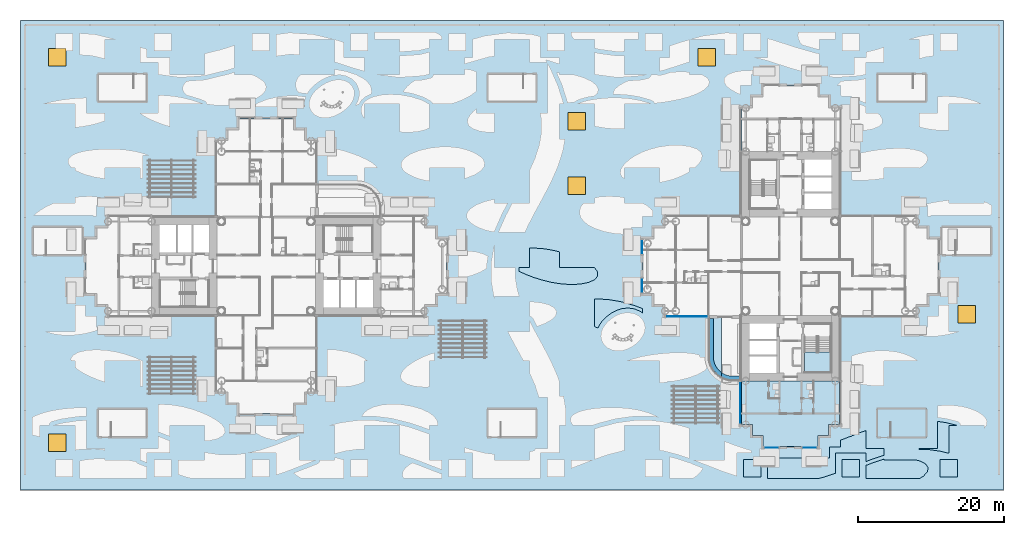
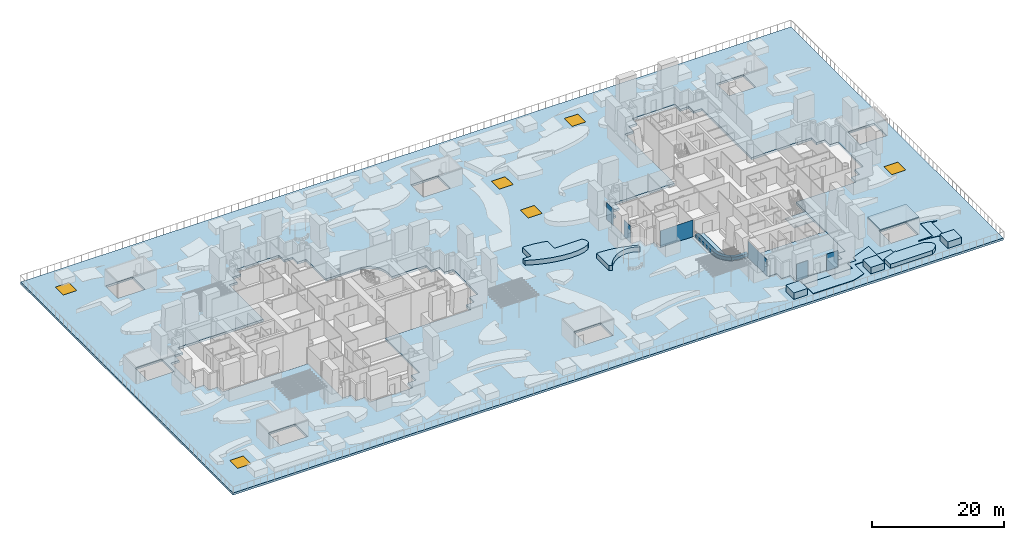
# One storey, part 20 of 40: 15 slabs, 6 plates, 6 windows, 6 openings, 7 elements without a shape of their own.
"""IFC4 building model written with IfcOpenShell, lengths in metres."""

from ifc_helpers import new_model, si_unit, direction, frame, origin, origin_2d, place, context, subcontext, project, spatial, polyline, rectangle, outline, extrude, material, layer, layer_set, type_object, element, fill, aggregate, save


model = new_model("IFC4")

# Units and contexts
model_context = context("Model", 3, precision=1e-05, world=origin(), true_north=direction((0.0, 1.0)))
body_context = subcontext(model_context, "Body", "Model", "MODEL_VIEW")
ifc_project = project(units=[si_unit("LENGTHUNIT", "METRE"), si_unit("AREAUNIT", "SQUARE_METRE"), si_unit("VOLUMEUNIT", "CUBIC_METRE"), si_unit("PLANEANGLEUNIT", "RADIAN"), si_unit("MASSUNIT", "GRAM", prefix="KILO")], contexts=[model_context])

# Site, building, storey
site_placement = place(None, origin())
site = spatial("IfcSite", under=ifc_project, at=site_placement, CompositionType="ELEMENT")
building_placement = place(site_placement, origin())
building = spatial("IfcBuilding", under=site, at=building_placement, Name="Ipe Terrace Towers", CompositionType="ELEMENT")
storey_placement = place(building_placement, frame((0.0, 0.0, 24.5)))
storey = spatial("IfcBuildingStorey", under=building, at=storey_placement, Name="L05", CompositionType="ELEMENT", Elevation=24.5)

# Slabs
ifc_material_1 = material(Name="Concrete C30/37", Category="concrete")
ifc_layer_1 = layer(ifc_material_1, 0.199951171875)
ifc_layer_set_1 = layer_set([ifc_layer_1], Name="BALCONY SLAB 200")
slab_type_1 = type_object("IfcSlabType", Name="BALCONY SLAB 200", PredefinedType="FLOOR", material=ifc_layer_set_1)
slab_1_placement = place(storey_placement, frame((0.0, 0.0, -0.219970703125)))
element("IfcSlab", 1, at=slab_1_placement, inside=storey, type_object=slab_type_1, Name="balcony slab", PredefinedType="FLOOR", context=body_context, shape_type="SweptSolid", body=[
    extrude(outline(polyline([(24.75, -6.75), (24.75, -12.449951171875), (24.778076171875, -12.881103515625), (24.862060546875, -13.303955078125), (25.0009765625, -13.712890625), (25.19189453125, -14.10009765625), (25.431884765625, -14.458984375), (25.717041015625, -14.782958984375), (26.041015625, -15.068115234375), (26.39990234375, -15.30810546875), (26.550048828125, -15.382080078125), (26.550048828125, -6.75), (24.75, -6.75)])), origin(), (0.0, 0.0, 1.0), 0.199951171875),
])
ifc_material_2 = material(Name="Concrete C30/37", Category="concrete")
ifc_layer_2 = layer(ifc_material_2, 0.75)
ifc_layer_set_2 = layer_set([ifc_layer_2], Name="CURVED GARDEN BED 750")
slab_type_2 = type_object("IfcSlabType", Name="CURVED GARDEN BED 750", PredefinedType="USERDEFINED", material=ifc_layer_set_2)
slab_2_placement = place(storey_placement, frame((0.0, 0.0, -0.02001953125)))
element("IfcSlab", 2, at=slab_2_placement, inside=storey, type_object=slab_type_2, Name="curved garden bed", ObjectType="PLANTER", PredefinedType="USERDEFINED", context=body_context, shape_type="SweptSolid", body=[
    extrude(outline(polyline([(54.912109375, -27.681884765625), (54.791015625, -28.27197265625), (54.218017578125, -28.861083984375), (53.7099609375, -29.14990234375), (46.35009765625, -29.14990234375), (46.35009765625, -27.330078125), (46.388916015625, -27.327880859375), (46.43798828125, -27.322021484375), (46.485107421875, -27.31103515625), (46.531005859375, -27.2958984375), (47.2880859375, -27.001953125), (48.8701171875, -26.465087890625), (48.8701171875, -26.635986328125), (53.35791015625, -26.635986328125), (53.81005859375, -26.7509765625), (54.56396484375, -27.157958984375), (54.912109375, -27.681884765625)])), origin(), (0.0, 0.0, 1.0), 0.75),
])
ifc_material_3 = material(Name="Concrete C30/37", Category="concrete")
ifc_layer_3 = layer(ifc_material_3, 0.89990234375)
ifc_layer_set_3 = layer_set([ifc_layer_3], Name="CURVED GARDEN BED 900")
slab_type_3 = type_object("IfcSlabType", Name="CURVED GARDEN BED 900", PredefinedType="USERDEFINED", material=ifc_layer_set_3)
slab_3_placement = place(storey_placement, frame((0.0, 0.0, -0.02001953125)))
element("IfcSlab", 3, at=slab_3_placement, inside=storey, type_object=slab_type_3, Name="curved garden bed", ObjectType="PLANTER", PredefinedType="USERDEFINED", context=body_context, shape_type="SweptSolid", body=[
    extrude(outline(polyline([(15.64990234375, -6.4208984375), (15.48193359375, -6.27587890625), (15.43505859375, -6.239013671875), (15.384033203125, -6.20703125), (15.330078125, -6.179931640625), (14.6650390625, -5.887939453125), (14.614013671875, -5.868896484375), (14.56298828125, -5.85400390625), (14.510009765625, -5.843994140625), (13.7880859375, -5.739013671875), (13.717041015625, -5.73291015625), (13.64599609375, -5.736083984375), (12.943115234375, -5.802978515625), (12.882080078125, -5.81201171875), (12.822021484375, -5.826904296875), (12.18896484375, -6.02392578125), (12.139892578125, -6.0419921875), (12.093994140625, -6.06298828125), (11.547119140625, -6.343017578125), (11.47802734375, -6.384033203125), (11.006103515625, -6.7119140625), (10.955078125, -6.751953125), (10.535888671875, -7.114990234375), (10.488037109375, -7.160888671875), (10.110107421875, -7.570068359375), (10.0810546875, -7.60400390625), (10.054931640625, -7.639892578125), (9.73193359375, -8.113037109375), (9.699951171875, -8.166015625), (9.673095703125, -8.221923828125), (9.570068359375, -8.470947265625), (9.070068359375, -8.281982421875), (9.070068359375, -4.52197265625), (9.791015625, -4.49609375), (11.195068359375, -4.60498046875), (12.51611328125, -4.830078125), (13.700927734375, -5.126953125), (14.14990234375, -5.27001953125), (14.14990234375, -5.35009765625), (14.402099609375, -5.35009765625), (14.757080078125, -5.462890625), (15.64990234375, -5.801025390625), (15.64990234375, -6.4208984375)])), origin(), (0.0, 0.0, 1.0), 0.89990234375),
])
slab_4_placement = place(storey_placement, frame((0.0, 0.0, -0.02001953125)))
element("IfcSlab", 4, at=slab_4_placement, inside=storey, type_object=slab_type_3, Name="curved garden bed", ObjectType="PLANTER", PredefinedType="USERDEFINED", context=body_context, shape_type="SweptSolid", body=[
    extrude(outline(polyline([(9.52197265625, -1.3330078125), (9.10400390625, -1.841064453125), (8.258056640625, -2.22998046875), (7.077880859375, -2.455078125), (5.708984375, -2.50390625), (4.304931640625, -2.39501953125), (2.98388671875, -2.169921875), (1.799072265625, -1.873046875), (0.742919921875, -1.537109375), (-0.219970703125, -1.173095703125), (-1.118896484375, -0.77001953125), (-1.257080078125, -0.693115234375), (-1.257080078125, -0.14990234375), (0.14990234375, -0.14990234375), (0.14990234375, 2.48095703125), (0.791015625, 2.50390625), (2.195068359375, 2.39501953125), (3.51611328125, 2.169921875), (4.27001953125, 1.98095703125), (4.27001953125, -0.14990234375), (9.031982421875, -0.14990234375), (9.10107421875, -0.2041015625), (9.5, -0.76708984375), (9.52197265625, -1.3330078125)])), origin(), (0.0, 0.0, 1.0), 0.89990234375),
])

# Stair, slab
ifc_material_4 = material(Name="Concrete C30/37", Category="concrete")
stair_type = type_object("IfcStairType", Name="Protected exit stair", PredefinedType="HALF_TURN_STAIR", material=ifc_material_4)
stair_placement = place(storey_placement, origin())
stair = element("IfcStair", 5, at=stair_placement, inside=storey, type_object=stair_type, Name="L05 Exit stair T2-C2", PredefinedType="HALF_TURN_STAIR")
ifc_material_5 = material(Name="Concrete C30/37", Category="concrete")
ifc_layer_4 = layer(ifc_material_5, 0.199951171875)
ifc_layer_set_4 = layer_set([ifc_layer_4], Name="Exit stair landing 200")
slab_type_4 = type_object("IfcSlabType", Name="Exit stair landing 200", PredefinedType="LANDING", material=ifc_layer_set_4)
slab_5_placement = place(storey_placement, frame((0.0, 0.0, 1.5)))
slab_5 = element("IfcSlab", 6, at=slab_5_placement, type_object=slab_type_4, Name="T2-ST2 landing 1", PredefinedType="LANDING", context=body_context, shape_type="SweptSolid", body=[
    extrude(outline(polyline([(37.89990234375, -11.780029296875), (37.89990234375, -14.550048828125), (41.550048828125, -14.550048828125), (41.550048828125, -11.780029296875), (37.89990234375, -11.780029296875)])), origin(), (0.0, 0.0, 1.0), 0.199951171875),
])
aggregate(stair, [slab_5])

# Slabs
ifc_material_6 = material(Name="Concrete C40/50", Category="concrete")
ifc_layer_5 = layer(ifc_material_6, 0.39990234375)
ifc_layer_set_5 = layer_set([ifc_layer_5], Name="FLAT PLATE SLAB 400 C40-50")
slab_type_5 = type_object("IfcSlabType", Name="FLAT PLATE SLAB 400 C40-50", PredefinedType="FLOOR", material=ifc_layer_set_5)
slab_6_placement = place(storey_placement, frame((0.0, 0.0, -0.39990234375)))
element("IfcSlab", 7, at=slab_6_placement, inside=storey, type_object=slab_type_5, Name="Slab T2-FS-Z12", PredefinedType="FLOOR", context=body_context, shape_type="SweptSolid", body=[
    extrude(outline(polyline([(42.75, -21.75), (41.25, -21.75), (41.25, -23.25), (39.75, -23.25), (39.75, -24.75), (32.25, -24.75), (32.25, -23.25), (30.75, -23.25), (30.75, -21.75), (29.25, -21.75), (29.25, -15.75), (42.75, -15.75), (42.75, -21.75)])), origin(), (0.0, 0.0, 1.0), 0.39990234375),
])
ifc_material_7 = material(Name="Concrete C30/37 paving", Category="concrete")
ifc_layer_6 = layer(ifc_material_7, 0.080078125)
ifc_layer_set_6 = layer_set([ifc_layer_6], Name="GARDEN PAVING 80")
slab_type_6 = type_object("IfcSlabType", Name="GARDEN PAVING 80", PredefinedType="USERDEFINED", material=ifc_layer_set_6)
slab_7_placement = place(storey_placement, frame((0.0, 0.0, -0.02001953125)))
element("IfcSlab", 8, at=slab_7_placement, inside=storey, type_object=slab_type_6, Name="garden paving path", ObjectType="PAVING", PredefinedType="USERDEFINED", context=body_context, shape_type="SweptSolid", body=[
    extrude(outline(polyline([(43.591064453125, -23.610107421875), (43.593017578125, -23.60888671875), (44.260986328125, -23.35009765625), (44.35009765625, -23.35009765625), (44.35009765625, -23.31494140625), (45.7099609375, -22.7880859375), (45.7900390625, -22.758056640625), (46.3701171875, -22.56201171875), (46.3701171875, -25.0), (48.8701171875, -25.0), (48.8701171875, -25.93701171875), (47.116943359375, -26.531982421875), (46.35009765625, -26.830078125), (46.35009765625, -25.64990234375), (42.14990234375, -25.64990234375), (42.14990234375, -28.429931640625), (40.73388671875, -28.9169921875), (40.580078125, -28.962890625), (39.85107421875, -29.14990234375), (32.85009765625, -29.14990234375), (32.85009765625, -26.35009765625), (41.35009765625, -26.35009765625), (41.35009765625, -24.85009765625), (42.85009765625, -24.85009765625), (42.85009765625, -23.89794921875), (43.591064453125, -23.610107421875)])), origin(), (0.0, 0.0, 1.0), 0.080078125),
])
slab_8_placement = place(storey_placement, frame((0.0, 0.0, -0.02001953125)))
element("IfcSlab", 9, at=slab_8_placement, inside=storey, type_object=slab_type_6, Name="garden paving path", ObjectType="PAVING", PredefinedType="USERDEFINED", context=body_context, shape_type="SweptSolid", body=[
    extrude(outline(polyline([(57.2958984375, -21.4609375), (57.51806640625, -21.5048828125), (58.79296875, -21.8359375), (57.7900390625, -21.8359375), (57.7900390625, -25.64990234375), (57.56689453125, -25.64990234375), (56.625, -25.406005859375), (54.75390625, -25.14208984375), (53.669921875, -25.135986328125), (53.669921875, -25.0), (56.169921875, -25.0), (56.169921875, -21.302978515625), (57.2958984375, -21.4609375)])), origin(), (0.0, 0.0, 1.0), 0.080078125),
])
ifc_material_8 = material(Name="Concrete C30/37", Category="concrete")
ifc_layer_7 = layer(ifc_material_8, 0.60009765625)
ifc_layer_set_7 = layer_set([ifc_layer_7], Name="PLANTER TROUGH 550 x 600")
slab_type_7 = type_object("IfcSlabType", Name="PLANTER TROUGH 550 x 600", PredefinedType="USERDEFINED", material=ifc_layer_set_7)
slab_9_placement = place(storey_placement, frame((0.0, 0.0, -0.02001953125)))
element("IfcSlab", 10, at=slab_9_placement, inside=storey, type_object=slab_type_7, Name="planter", ObjectType="PLANTER", PredefinedType="USERDEFINED", context=body_context, shape_type="SweptSolid", body=[
    extrude(outline(polyline([(27.366943359375, -14.9990234375), (27.0400390625, -14.887939453125), (26.73095703125, -14.735107421875), (26.550048828125, -14.614013671875), (26.550048828125, -15.259033203125), (26.81298828125, -15.388916015625), (26.845947265625, -15.403076171875), (27.20703125, -15.52490234375), (27.241943359375, -15.534912109375), (27.615966796875, -15.60888671875), (27.652099609375, -15.614013671875), (28.044921875, -15.638916015625), (28.06298828125, -15.639892578125), (29.25, -15.639892578125), (29.25, -15.090087890625), (28.072021484375, -15.090087890625), (27.7060546875, -15.06591796875), (27.366943359375, -14.9990234375)])), origin(), (0.0, 0.0, 1.0), 0.60009765625),
])
slab_10_placement = place(storey_placement, frame((0.0, 0.0, -0.02001953125)))
element("IfcSlab", 11, at=slab_10_placement, inside=storey, type_object=slab_type_7, Name="planter", ObjectType="PLANTER", PredefinedType="USERDEFINED", context=body_context, shape_type="SweptSolid", body=[
    extrude(outline(polyline([(26.444091796875, -14.54296875), (26.18408203125, -14.31591796875), (25.95703125, -14.055908203125), (25.764892578125, -13.76904296875), (25.612060546875, -13.4599609375), (25.5009765625, -13.133056640625), (25.43408203125, -12.7939453125), (25.409912109375, -12.427978515625), (25.409912109375, -7.199951171875), (24.860107421875, -7.199951171875), (24.860107421875, -12.43701171875), (24.861083984375, -12.455078125), (24.885986328125, -12.847900390625), (24.89111328125, -12.884033203125), (24.965087890625, -13.258056640625), (24.97509765625, -13.29296875), (25.096923828125, -13.654052734375), (25.111083984375, -13.68701171875), (25.280029296875, -14.029052734375), (25.298095703125, -14.06005859375), (25.509033203125, -14.376953125), (25.531005859375, -14.405029296875), (25.782958984375, -14.69189453125), (25.80810546875, -14.717041015625), (26.094970703125, -14.968994140625), (26.123046875, -14.990966796875), (26.43994140625, -15.201904296875), (26.470947265625, -15.219970703125), (26.550048828125, -15.259033203125), (26.550048828125, -14.614013671875), (26.444091796875, -14.54296875)])), origin(), (0.0, 0.0, 1.0), 0.60009765625),
])

# Slab, openings, windows
ifc_material_9 = material(Name="Concrete C40/50", Category="concrete")
ifc_layer_8 = layer(ifc_material_9, 0.405029296875)
ifc_layer_set_8 = layer_set([ifc_layer_8], Name="PODIUM ROOF SLAB 405 C40-50")
slab_type_8 = type_object("IfcSlabType", Name="PODIUM ROOF SLAB 405 C40-50", PredefinedType="ROOF", material=ifc_layer_set_8)
slab_11_placement = place(storey_placement, frame((0.0, 0.0, -0.425048828125)))
slab_11 = element("IfcSlab", 12, at=slab_11_placement, inside=storey, type_object=slab_type_8, Name="Slab PD-RS-GARDEN", PredefinedType="ROOF", context=body_context, shape_type="SweptSolid", body=[
    extrude(outline(polyline([(65.25, -30.75), (-69.75, -30.75), (-69.75, 33.75), (65.25, 33.75), (65.25, -30.75)]), holes=[polyline([(30.7451171875, -23.2548828125), (32.2451171875, -23.2548828125), (32.2451171875, -24.7548828125), (39.7548828125, -24.7548828125), (39.7548828125, -23.2548828125), (41.2548828125, -23.2548828125), (41.2548828125, -21.7548828125), (42.7548828125, -21.7548828125), (42.7548828125, -6.7548828125), (53.2548828125, -6.7548828125), (53.2548828125, -5.2548828125), (54.7548828125, -5.2548828125), (54.7548828125, -3.7548828125), (56.2548828125, -3.7548828125), (56.2548828125, 3.7548828125), (54.7548828125, 3.7548828125), (54.7548828125, 5.2548828125), (53.2548828125, 5.2548828125), (53.2548828125, 6.7548828125), (42.7548828125, 6.7548828125), (42.7548828125, 21.7548828125), (41.2548828125, 21.7548828125), (41.2548828125, 23.2548828125), (39.7548828125, 23.2548828125), (39.7548828125, 24.7548828125), (32.2451171875, 24.7548828125), (32.2451171875, 23.2548828125), (30.7451171875, 23.2548828125), (30.7451171875, 21.7548828125), (29.2451171875, 21.7548828125), (29.2451171875, 6.7548828125), (18.7451171875, 6.7548828125), (18.7451171875, 5.2548828125), (17.2451171875, 5.2548828125), (17.2451171875, 3.7548828125), (15.7451171875, 3.7548828125), (15.7451171875, -3.7548828125), (17.2451171875, -3.7548828125), (17.2451171875, -5.2548828125), (18.7451171875, -5.2548828125), (18.7451171875, -6.7548828125), (24.7451171875, -6.7548828125), (24.7451171875, -11.2548828125), (24.75, -11.2548828125), (24.75, -12.449951171875), (24.778076171875, -12.881103515625), (24.862060546875, -13.303955078125), (25.0009765625, -13.712890625), (25.19189453125, -14.10009765625), (25.431884765625, -14.458984375), (25.717041015625, -14.782958984375), (26.041015625, -15.068115234375), (26.39990234375, -15.30810546875), (26.550048828125, -15.382080078125), (26.787109375, -15.4990234375), (27.196044921875, -15.637939453125), (27.618896484375, -15.721923828125), (28.050048828125, -15.75), (29.2451171875, -15.75), (29.2451171875, -21.7548828125), (30.7451171875, -21.7548828125), (30.7451171875, -23.2548828125)]), polyline([(-59.2548828125, -5.2548828125), (-57.7548828125, -5.2548828125), (-57.7548828125, -6.7548828125), (-42.7548828125, -6.7548828125), (-42.7548828125, -17.2548828125), (-41.2548828125, -17.2548828125), (-41.2548828125, -18.7548828125), (-39.7548828125, -18.7548828125), (-39.7548828125, -20.2548828125), (-32.2451171875, -20.2548828125), (-32.2451171875, -18.7548828125), (-30.7451171875, -18.7548828125), (-30.7451171875, -17.2548828125), (-29.2451171875, -17.2548828125), (-29.2451171875, -6.7548828125), (-14.2451171875, -6.7548828125), (-14.2451171875, -5.2548828125), (-12.7451171875, -5.2548828125), (-12.7451171875, -3.7548828125), (-11.2451171875, -3.7548828125), (-11.2451171875, 3.7548828125), (-12.7451171875, 3.7548828125), (-12.7451171875, 5.2548828125), (-14.2451171875, 5.2548828125), (-14.2451171875, 6.7548828125), (-20.25, 6.7548828125), (-20.25, 7.949951171875), (-20.278076171875, 8.381103515625), (-20.362060546875, 8.803955078125), (-20.5009765625, 9.212890625), (-20.617919921875, 9.449951171875), (-20.69189453125, 9.60009765625), (-20.931884765625, 9.958984375), (-21.217041015625, 10.282958984375), (-21.541015625, 10.568115234375), (-21.89990234375, 10.80810546875), (-22.287109375, 10.9990234375), (-22.696044921875, 11.137939453125), (-23.118896484375, 11.221923828125), (-23.550048828125, 11.25), (-24.7451171875, 11.25), (-24.7451171875, 11.2548828125), (-29.2451171875, 11.2548828125), (-29.2451171875, 17.2548828125), (-30.7451171875, 17.2548828125), (-30.7451171875, 18.7548828125), (-32.2451171875, 18.7548828125), (-32.2451171875, 20.2548828125), (-39.7548828125, 20.2548828125), (-39.7548828125, 18.7548828125), (-41.2548828125, 18.7548828125), (-41.2548828125, 17.2548828125), (-42.7548828125, 17.2548828125), (-42.7548828125, 6.7548828125), (-57.7548828125, 6.7548828125), (-57.7548828125, 5.2548828125), (-59.2548828125, 5.2548828125), (-59.2548828125, 3.7548828125), (-60.7548828125, 3.7548828125), (-60.7548828125, -3.7548828125), (-59.2548828125, -3.7548828125), (-59.2548828125, -5.2548828125)]), polyline([(-63.489990234375, -23.035888671875), (-65.889892578125, -23.035888671875), (-65.889892578125, -25.43603515625), (-63.489990234375, -25.43603515625), (-63.489990234375, -23.035888671875)]), polyline([(61.389892578125, -7.779052734375), (61.389892578125, -5.3779296875), (58.989990234375, -5.3779296875), (58.989990234375, -7.779052734375), (61.389892578125, -7.779052734375)]), polyline([(7.8701171875, 9.87890625), (7.8701171875, 12.278076171875), (5.469970703125, 12.278076171875), (5.469970703125, 9.87890625), (7.8701171875, 9.87890625)]), polyline([(7.8701171875, 21.10693359375), (5.469970703125, 21.10693359375), (5.469970703125, 18.70703125), (7.8701171875, 18.70703125), (7.8701171875, 21.10693359375)]), polyline([(-63.489990234375, 27.535888671875), (-63.489990234375, 29.93603515625), (-65.889892578125, 29.93603515625), (-65.889892578125, 27.535888671875), (-63.489990234375, 27.535888671875)]), polyline([(25.7099609375, 27.535888671875), (25.7099609375, 29.93603515625), (23.31005859375, 29.93603515625), (23.31005859375, 27.535888671875), (25.7099609375, 27.535888671875)]), polyline([(-57.169921875, -19.64990234375), (-57.169921875, -23.39990234375), (-52.469970703125, -23.39990234375), (-52.469970703125, -19.64990234375), (-57.169921875, -19.64990234375)]), polyline([(-3.64990234375, -19.64990234375), (-3.64990234375, -23.39990234375), (1.050048828125, -23.39990234375), (1.050048828125, -19.64990234375), (-3.64990234375, -19.64990234375)]), polyline([(49.8701171875, -19.64990234375), (49.8701171875, -23.39990234375), (54.570068359375, -23.39990234375), (54.570068359375, -19.64990234375), (49.8701171875, -19.64990234375)]), polyline([(-66.090087890625, 5.35009765625), (-66.090087890625, 1.60009765625), (-61.389892578125, 1.60009765625), (-61.389892578125, 5.35009765625), (-66.090087890625, 5.35009765625)]), polyline([(58.7900390625, 5.35009765625), (58.7900390625, 1.60009765625), (63.489990234375, 1.60009765625), (63.489990234375, 5.35009765625), (58.7900390625, 5.35009765625)]), polyline([(-54.3701171875, 22.64990234375), (-54.3701171875, 26.39990234375), (-59.070068359375, 26.39990234375), (-59.070068359375, 22.64990234375), (-54.3701171875, 22.64990234375)]), polyline([(-0.85009765625, 22.64990234375), (-0.85009765625, 26.39990234375), (-5.550048828125, 26.39990234375), (-5.550048828125, 22.64990234375), (-0.85009765625, 22.64990234375)]), polyline([(52.669921875, 22.64990234375), (52.669921875, 26.39990234375), (47.969970703125, 26.39990234375), (47.969970703125, 22.64990234375), (52.669921875, 22.64990234375)])]), origin(), (0.0, 0.0, 1.0), 0.405029296875),
])
opening_1_placement = place(slab_11_placement, frame((-64.68994140625, -24.236083984375, 0.0)))
opening_1 = element("IfcOpeningElement", 13, at=opening_1_placement, cuts=slab_11, Name="Opening POD-W-03-1", PredefinedType="OPENING", context=body_context, shape_type="SweptSolid", body=[
    extrude(rectangle(XDim=2.39990234375, YDim=2.39990234375, at=origin_2d()), origin(), (0.0, 0.0, 1.0), 0.405029296875),
])
opening_2_placement = place(slab_11_placement, frame((60.18994140625, -6.5791015625, 0.0)))
opening_2 = element("IfcOpeningElement", 14, at=opening_2_placement, cuts=slab_11, Name="Opening POD-W-03-2", PredefinedType="OPENING", context=body_context, shape_type="SweptSolid", body=[
    extrude(rectangle(XDim=2.39990234375, YDim=2.39990234375, at=origin_2d()), origin(), (0.0, 0.0, 1.0), 0.405029296875),
])
opening_3_placement = place(slab_11_placement, frame((6.669921875, 11.0791015625, 0.0)))
opening_3 = element("IfcOpeningElement", 15, at=opening_3_placement, cuts=slab_11, Name="Opening POD-W-03-3", PredefinedType="OPENING", context=body_context, shape_type="SweptSolid", body=[
    extrude(rectangle(XDim=2.39990234375, YDim=2.39990234375, at=origin_2d()), origin(), (0.0, 0.0, 1.0), 0.405029296875),
])
opening_4_placement = place(slab_11_placement, frame((6.669921875, 19.906982421875, 0.0)))
opening_4 = element("IfcOpeningElement", 16, at=opening_4_placement, cuts=slab_11, Name="Opening POD-W-03-4", PredefinedType="OPENING", context=body_context, shape_type="SweptSolid", body=[
    extrude(rectangle(XDim=2.39990234375, YDim=2.39990234375, at=origin_2d()), origin(), (0.0, 0.0, 1.0), 0.405029296875),
])
opening_5_placement = place(slab_11_placement, frame((-64.68994140625, 28.736083984375, 0.0)))
opening_5 = element("IfcOpeningElement", 17, at=opening_5_placement, cuts=slab_11, Name="Opening POD-W-03-5", PredefinedType="OPENING", context=body_context, shape_type="SweptSolid", body=[
    extrude(rectangle(XDim=2.39990234375, YDim=2.39990234375, at=origin_2d()), origin(), (0.0, 0.0, 1.0), 0.405029296875),
])
opening_6_placement = place(slab_11_placement, frame((24.510009765625, 28.736083984375, 0.0)))
opening_6 = element("IfcOpeningElement", 18, at=opening_6_placement, cuts=slab_11, Name="Opening POD-W-03-6", PredefinedType="OPENING", context=body_context, shape_type="SweptSolid", body=[
    extrude(rectangle(XDim=2.39990234375, YDim=2.39990234375, at=origin_2d()), origin(), (0.0, 0.0, 1.0), 0.405029296875),
])
ifc_material_10 = material(Name="Glass, laminated walkable", Category="glass")
window_type = type_object("IfcWindowType", Name="SKYLIGHT 2400 x 2400", PartitioningType="SINGLE_PANEL", PredefinedType="SKYLIGHT", material=ifc_material_10)
window_1_placement = place(opening_1_placement, frame((0.0, 0.0, 0.35498046875)))
window_1 = element("IfcWindow", 19, at=window_1_placement, inside=storey, type_object=window_type, Name="W-03 skylight", OverallHeight=2.39990234375, OverallWidth=2.39990234375, PartitioningType="SINGLE_PANEL", PredefinedType="SKYLIGHT", context=body_context, shape_type="SweptSolid", body=[
    extrude(rectangle(XDim=2.39990234375, YDim=2.39990234375, at=origin_2d()), origin(), (0.0, 0.0, 1.0), 0.050048828125),
])
fill(opening_1, window_1)
window_2_placement = place(opening_2_placement, frame((0.0, 0.0, 0.35498046875)))
window_2 = element("IfcWindow", 20, at=window_2_placement, inside=storey, type_object=window_type, Name="W-03 skylight", OverallHeight=2.39990234375, OverallWidth=2.39990234375, PartitioningType="SINGLE_PANEL", PredefinedType="SKYLIGHT", context=body_context, shape_type="SweptSolid", body=[
    extrude(rectangle(XDim=2.39990234375, YDim=2.39990234375, at=origin_2d()), origin(), (0.0, 0.0, 1.0), 0.050048828125),
])
fill(opening_2, window_2)
window_3_placement = place(opening_3_placement, frame((0.0, 0.0, 0.35498046875)))
window_3 = element("IfcWindow", 21, at=window_3_placement, inside=storey, type_object=window_type, Name="W-03 skylight", OverallHeight=2.39990234375, OverallWidth=2.39990234375, PartitioningType="SINGLE_PANEL", PredefinedType="SKYLIGHT", context=body_context, shape_type="SweptSolid", body=[
    extrude(rectangle(XDim=2.39990234375, YDim=2.39990234375, at=origin_2d()), origin(), (0.0, 0.0, 1.0), 0.050048828125),
])
fill(opening_3, window_3)
window_4_placement = place(opening_4_placement, frame((0.0, 0.0, 0.35498046875)))
window_4 = element("IfcWindow", 22, at=window_4_placement, inside=storey, type_object=window_type, Name="W-03 skylight", OverallHeight=2.39990234375, OverallWidth=2.39990234375, PartitioningType="SINGLE_PANEL", PredefinedType="SKYLIGHT", context=body_context, shape_type="SweptSolid", body=[
    extrude(rectangle(XDim=2.39990234375, YDim=2.39990234375, at=origin_2d()), origin(), (0.0, 0.0, 1.0), 0.050048828125),
])
fill(opening_4, window_4)
window_5_placement = place(opening_5_placement, frame((0.0, 0.0, 0.35498046875)))
window_5 = element("IfcWindow", 23, at=window_5_placement, inside=storey, type_object=window_type, Name="W-03 skylight", OverallHeight=2.39990234375, OverallWidth=2.39990234375, PartitioningType="SINGLE_PANEL", PredefinedType="SKYLIGHT", context=body_context, shape_type="SweptSolid", body=[
    extrude(rectangle(XDim=2.39990234375, YDim=2.39990234375, at=origin_2d()), origin(), (0.0, 0.0, 1.0), 0.050048828125),
])
fill(opening_5, window_5)
window_6_placement = place(opening_6_placement, frame((0.0, 0.0, 0.35498046875)))
window_6 = element("IfcWindow", 24, at=window_6_placement, inside=storey, type_object=window_type, Name="W-03 skylight", OverallHeight=2.39990234375, OverallWidth=2.39990234375, PartitioningType="SINGLE_PANEL", PredefinedType="SKYLIGHT", context=body_context, shape_type="SweptSolid", body=[
    extrude(rectangle(XDim=2.39990234375, YDim=2.39990234375, at=origin_2d()), origin(), (0.0, 0.0, 1.0), 0.050048828125),
])
fill(opening_6, window_6)

# Slab
ifc_material_11 = material(Name="Concrete C30/37", Category="concrete")
ifc_layer_9 = layer(ifc_material_11, 0.199951171875)
ifc_layer_set_9 = layer_set([ifc_layer_9], Name="STAIR HEAD ROOF SLAB 200 C30-37")
slab_type_9 = type_object("IfcSlabType", Name="STAIR HEAD ROOF SLAB 200 C30-37", PredefinedType="ROOF", material=ifc_layer_set_9)
slab_12_placement = place(storey_placement, frame((0.0, 0.0, 3.0)))
element("IfcSlab", 25, at=slab_12_placement, inside=storey, type_object=slab_type_9, Name="Stair head roof PS6", PredefinedType="ROOF", context=body_context, shape_type="SweptSolid", body=[
    extrude(outline(polyline([(47.8701171875, -23.5), (54.669921875, -23.5), (54.669921875, -19.550048828125), (47.8701171875, -19.550048828125), (47.8701171875, -23.5)])), origin(), (0.0, 0.0, 1.0), 0.199951171875),
])

# Curtain wall, plate
ifc_material_12 = material(Name="Aluminium alloy 6063-T6", Category="aluminium")
ifc_layer_10 = layer(ifc_material_12, 0.320068359375)
ifc_layer_set_10 = layer_set([ifc_layer_10], Name="TOWER UNITISED CURTAIN WALL")
curtain_wall_type = type_object("IfcCurtainWallType", Name="TOWER UNITISED CURTAIN WALL", PredefinedType="NOTDEFINED", material=ifc_layer_set_10)
curtain_wall_1_placement = place(storey_placement, origin())
curtain_wall_1 = element("IfcCurtainWall", 26, at=curtain_wall_1_placement, inside=storey, type_object=curtain_wall_type, Name="T2-CW-L05-38a curtain wall", PredefinedType="NOTDEFINED")
ifc_material_13 = material(Name="Glass, clear laminated", Category="glass")
ifc_layer_11 = layer(ifc_material_13, 0.031982421875)
ifc_layer_set_11 = layer_set([ifc_layer_11], Name="TOWER UNITISED GLASS PANEL 32")
plate_type = type_object("IfcPlateType", Name="TOWER UNITISED GLASS PANEL 32", PredefinedType="CURTAIN_PANEL", material=ifc_layer_set_11)
plate_1_placement = place(storey_placement, frame((15.590087890625, 2.625, 0.0), z_axis=(0.0, 0.0, 1.0), x_axis=(0.0, -1.0, 0.0)))
plate_1 = element("IfcPlate", 27, at=plate_1_placement, type_object=plate_type, Name="T2-CW-L05-38a panel 1", PredefinedType="CURTAIN_PANEL", context=body_context, shape_type="SweptSolid", body=[
    extrude(rectangle(XDim=2.010009765625, YDim=0.031982421875, at=origin_2d()), origin(), (0.0, 0.0, 1.0), 3.10009765625),
])
aggregate(curtain_wall_1, [plate_1])

curtain_wall_2_placement = place(storey_placement, origin())
curtain_wall_2 = element("IfcCurtainWall", 28, at=curtain_wall_2_placement, inside=storey, type_object=curtain_wall_type, Name="T2-CW-L05-38c curtain wall", PredefinedType="NOTDEFINED")
plate_2_placement = place(storey_placement, frame((15.590087890625, -2.625, 0.0), z_axis=(0.0, 0.0, 1.0), x_axis=(0.0, -1.0, 0.0)))
plate_2 = element("IfcPlate", 29, at=plate_2_placement, type_object=plate_type, Name="T2-CW-L05-38c panel 1", PredefinedType="CURTAIN_PANEL", context=body_context, shape_type="SweptSolid", body=[
    extrude(rectangle(XDim=2.010009765625, YDim=0.031982421875, at=origin_2d()), origin(), (0.0, 0.0, 1.0), 3.10009765625),
])
aggregate(curtain_wall_2, [plate_2])

curtain_wall_3_placement = place(storey_placement, origin())
curtain_wall_3 = element("IfcCurtainWall", 30, at=curtain_wall_3_placement, inside=storey, type_object=curtain_wall_type, Name="T2-CW-L05-43a curtain wall", PredefinedType="NOTDEFINED")
plate_3_placement = place(storey_placement, frame((21.75, -6.909912109375, 0.0), z_axis=(0.0, 0.0, 1.0), x_axis=(1.0, 0.0, 0.0)))
plate_3 = element("IfcPlate", 31, at=plate_3_placement, type_object=plate_type, Name="T2-CW-L05-43a panel 1", PredefinedType="CURTAIN_PANEL", context=body_context, shape_type="SweptSolid", body=[
    extrude(rectangle(XDim=5.760009765625, YDim=0.031982421875, at=origin_2d()), origin(), (0.0, 0.0, 1.0), 3.10009765625),
])
aggregate(curtain_wall_3, [plate_3])

curtain_wall_4_placement = place(storey_placement, origin())
curtain_wall_4 = element("IfcCurtainWall", 32, at=curtain_wall_4_placement, inside=storey, type_object=curtain_wall_type, Name="T2-CW-L05-46b curtain wall", PredefinedType="NOTDEFINED")
plate_4_placement = place(storey_placement, frame((29.090087890625, -18.75048828125, 0.0), z_axis=(0.0, 0.0, 1.0), x_axis=(0.0, -1.0, 0.0)))
plate_4 = element("IfcPlate", 33, at=plate_4_placement, type_object=plate_type, Name="T2-CW-L05-46b panel 1", PredefinedType="CURTAIN_PANEL", context=body_context, shape_type="SweptSolid", body=[
    extrude(rectangle(XDim=5.759033203125, YDim=0.031982421875, at=origin_2d()), origin(), (0.0, 0.0, 1.0), 3.10009765625),
])
aggregate(curtain_wall_4, [plate_4])

curtain_wall_5_placement = place(storey_placement, origin())
curtain_wall_5 = element("IfcCurtainWall", 34, at=curtain_wall_5_placement, inside=storey, type_object=curtain_wall_type, Name="T2-CW-L05-51a curtain wall", PredefinedType="NOTDEFINED")
plate_5_placement = place(storey_placement, frame((33.375, -24.909912109375, 0.0), z_axis=(0.0, 0.0, 1.0), x_axis=(1.0, 0.0, 0.0)))
plate_5 = element("IfcPlate", 35, at=plate_5_placement, type_object=plate_type, Name="T2-CW-L05-51a panel 1", PredefinedType="CURTAIN_PANEL", context=body_context, shape_type="SweptSolid", body=[
    extrude(rectangle(XDim=2.010009765625, YDim=0.031982421875, at=origin_2d()), origin(), (0.0, 0.0, 1.0), 3.10009765625),
])
aggregate(curtain_wall_5, [plate_5])

curtain_wall_6_placement = place(storey_placement, origin())
curtain_wall_6 = element("IfcCurtainWall", 36, at=curtain_wall_6_placement, inside=storey, type_object=curtain_wall_type, Name="T2-CW-L05-51c curtain wall", PredefinedType="NOTDEFINED")
plate_6_placement = place(storey_placement, frame((38.625, -24.909912109375, 0.0), z_axis=(0.0, 0.0, 1.0), x_axis=(1.0, 0.0, 0.0)))
plate_6 = element("IfcPlate", 37, at=plate_6_placement, type_object=plate_type, Name="T2-CW-L05-51c panel 1", PredefinedType="CURTAIN_PANEL", context=body_context, shape_type="SweptSolid", body=[
    extrude(rectangle(XDim=2.010009765625, YDim=0.031982421875, at=origin_2d()), origin(), (0.0, 0.0, 1.0), 3.10009765625),
])
aggregate(curtain_wall_6, [plate_6])

# Slabs
ifc_material_14 = material(Name="Concrete C30/37", Category="concrete")
ifc_layer_12 = layer(ifc_material_14, 1.199951171875)
ifc_layer_set_12 = layer_set([ifc_layer_12], Name="TREE PIT PLANTER 2400 x 2400 x 1200")
slab_type_10 = type_object("IfcSlabType", Name="TREE PIT PLANTER 2400 x 2400 x 1200", PredefinedType="USERDEFINED", material=ifc_layer_set_12)
slab_13_placement = place(storey_placement, origin())
element("IfcSlab", 38, at=slab_13_placement, inside=storey, type_object=slab_type_10, Name="planter", ObjectType="PLANTER", PredefinedType="USERDEFINED", context=body_context, shape_type="SweptSolid", body=[
    extrude(outline(polyline([(29.550048828125, -28.949951171875), (31.949951171875, -28.949951171875), (31.949951171875, -26.550048828125), (29.550048828125, -26.550048828125), (29.550048828125, -28.949951171875)])), origin(), (0.0, 0.0, 1.0), 1.199951171875),
])
slab_14_placement = place(storey_placement, origin())
element("IfcSlab", 39, at=slab_14_placement, inside=storey, type_object=slab_type_10, Name="planter", ObjectType="PLANTER", PredefinedType="USERDEFINED", context=body_context, shape_type="SweptSolid", body=[
    extrude(outline(polyline([(43.050048828125, -28.949951171875), (45.449951171875, -28.949951171875), (45.449951171875, -26.550048828125), (43.050048828125, -26.550048828125), (43.050048828125, -28.949951171875)])), origin(), (0.0, 0.0, 1.0), 1.199951171875),
])
slab_15_placement = place(storey_placement, origin())
element("IfcSlab", 40, at=slab_15_placement, inside=storey, type_object=slab_type_10, Name="planter", ObjectType="PLANTER", PredefinedType="USERDEFINED", context=body_context, shape_type="SweptSolid", body=[
    extrude(outline(polyline([(56.550048828125, -28.949951171875), (58.949951171875, -28.949951171875), (58.949951171875, -26.550048828125), (56.550048828125, -26.550048828125), (56.550048828125, -28.949951171875)])), origin(), (0.0, 0.0, 1.0), 1.199951171875),
])

save(model, "model.ifc")
